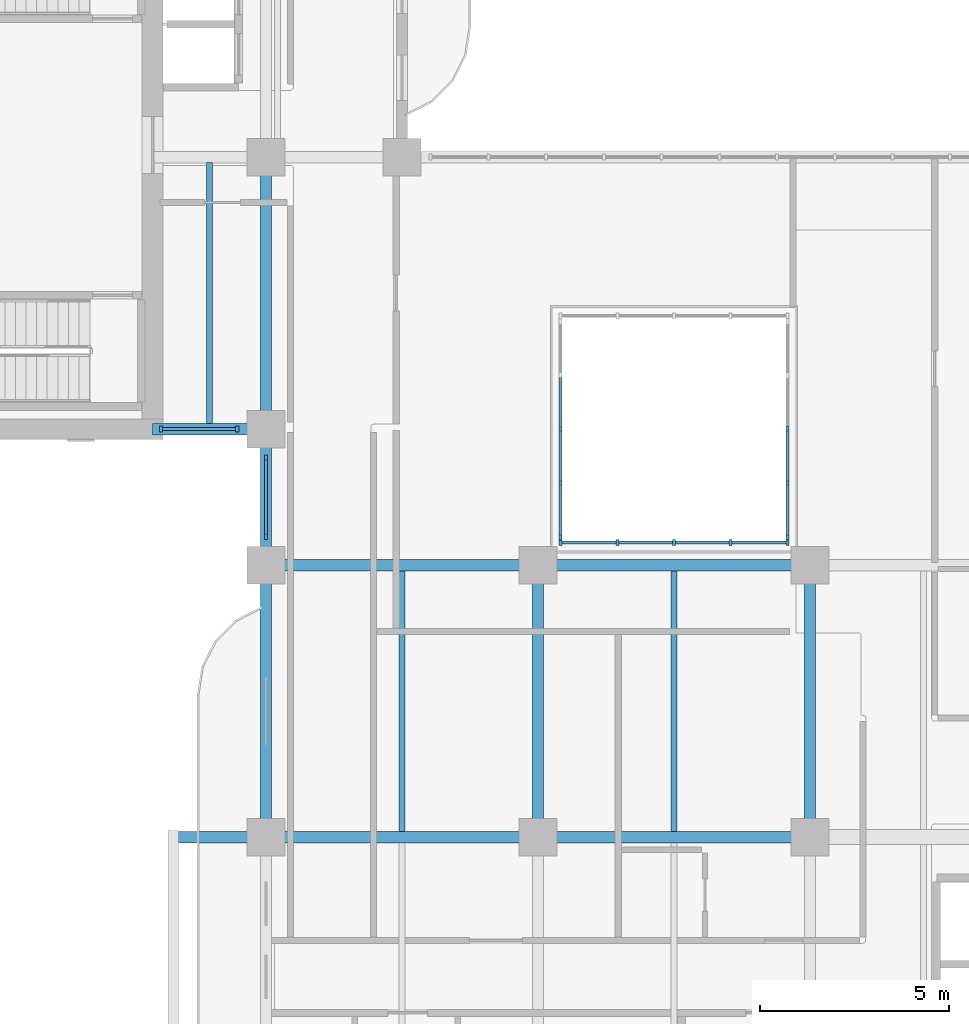
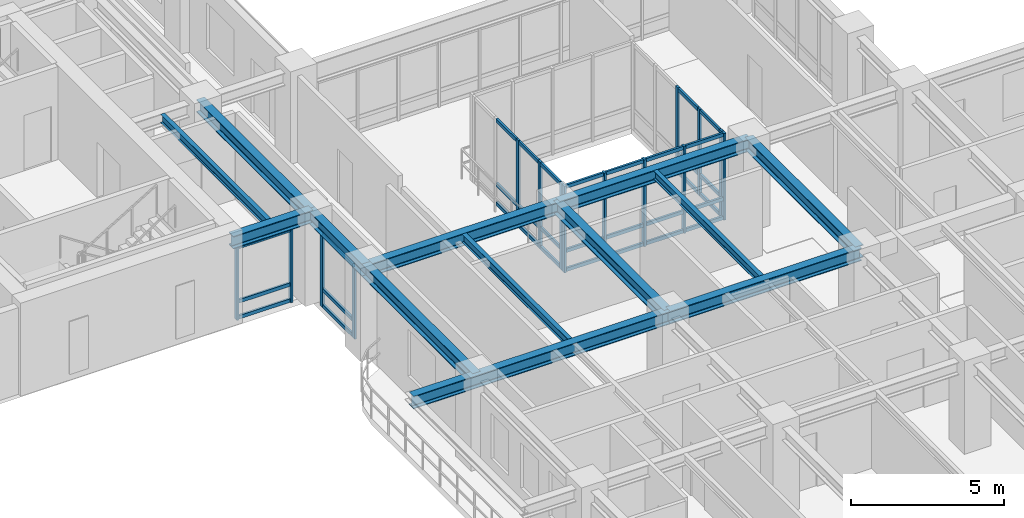
# One storey, part 2 of 20: 48 members, 13 beams, 5 elements without a shape of their own.
"""IFC4 building model written with IfcOpenShell, lengths in metres."""

from ifc_helpers import new_model, si_unit, derived_unit, direction, frame, origin, origin_2d, place, context, subcontext, project, spatial, rectangle, i_section, extrude, source, transform, mapped, material, layer, layer_set, material_profile, profile_set, type_object, type_shapes, element, aggregate, save


model = new_model("IFC4")

# Units and contexts
model_context = context("Model", 3, precision=1e-05, world=origin(), true_north=direction((0.0, 1.0)))
body_context = subcontext(model_context, "Body", "Model", "MODEL_VIEW")
ifc_project = project(units=[si_unit("LENGTHUNIT", "METRE"), si_unit("AREAUNIT", "SQUARE_METRE"), si_unit("VOLUMEUNIT", "CUBIC_METRE"), si_unit("PLANEANGLEUNIT", "RADIAN"), si_unit("MASSUNIT", "GRAM", prefix="KILO"), si_unit("THERMODYNAMICTEMPERATUREUNIT", "KELVIN"), si_unit("POWERUNIT", "WATT"), derived_unit("THERMALTRANSMITTANCEUNIT", [(si_unit("POWERUNIT", "WATT"), 1), (si_unit("AREAUNIT", "SQUARE_METRE"), -1), (si_unit("THERMODYNAMICTEMPERATUREUNIT", "KELVIN"), -1)])], contexts=[model_context])

# Site, building, storey
site_placement = place(None, origin())
site = spatial("IfcSite", under=ifc_project, at=site_placement, CompositionType="ELEMENT")
building_placement = place(site_placement, origin())
building = spatial("IfcBuilding", under=site, at=building_placement, Name="Zahravan Archway Hotel and Residences", CompositionType="ELEMENT")
storey_placement = place(building_placement, frame((0.0, 0.0, 111.800048828125)))
storey = spatial("IfcBuildingStorey", under=building, at=storey_placement, Name="L27", CompositionType="ELEMENT", Elevation=111.800048828125)

# Beams
ifc_material_1 = material(Name="Structural Steel S355JR", Category="steel")
ifc_material_profile_1 = material_profile(ifc_material_1, i_section(OverallWidth=0.300048828125, OverallDepth=0.5, WebThickness=0.014404296875, FlangeThickness=0.028076171875, FilletRadius=0.027099609375, at=origin_2d()), Name="HEB 500", Category="steel")
ifc_profile_set_1 = profile_set([ifc_material_profile_1], Name="Structural Steel S355JR")
beam_type_1 = type_object("IfcBeamType", Name="BM-PRI-HEB500", PredefinedType="BEAM", material=ifc_profile_set_1)
shared_shape_1 = source(origin(), body_context, "Body", "SweptSolid", [
    extrude(i_section(OverallWidth=0.300048828125, OverallDepth=0.5, WebThickness=0.014404296875, FlangeThickness=0.028076171875, FilletRadius=0.027099609375, at=origin_2d()), origin(), (0.0, 0.0, 1.0), 7.2001953125),
])
type_shapes(beam_type_1, [shared_shape_1])
for number, where, z_axis, x_axis, name in (
    (1, (14.39990234375, 21.60009765625, 3.199951171875), (1.0, 0.0, 0.0), (0.0, 1.0, 0.0), "L27 Primary Girder EW-11"),
    (2, (14.39990234375, 14.39990234375, 3.199951171875), (0.0, 1.0, 0.0), (-1.0, 0.0, 0.0), "L27 Primary Girder NS-30"),
    (3, (21.60009765625, 14.39990234375, 3.199951171875), (0.0, 1.0, 0.0), (-1.0, 0.0, 0.0), "L27 Primary Girder NS-37"),
    (4, (28.800048828125, 14.39990234375, 3.199951171875), (0.0, 1.0, 0.0), (-1.0, 0.0, 0.0), "L27 Primary Girder NS-40"),
):
    element("IfcBeam", number, at=place(storey_placement, frame(where, z_axis=z_axis, x_axis=x_axis)), inside=storey, type_object=beam_type_1, Name=name, PredefinedType="BEAM", context=body_context, shape_type="MappedRepresentation", body=[
        mapped(shared_shape_1, transform((0.0, 0.0, 0.0), scale=1.0)),
    ])
shared_shape_2 = source(origin(), body_context, "Body", "SweptSolid", [
    extrude(i_section(OverallWidth=0.300048828125, OverallDepth=0.5, WebThickness=0.014404296875, FlangeThickness=0.028076171875, FilletRadius=0.027099609375, at=origin_2d()), origin(), (0.0, 0.0, 1.0), 7.199951171875),
])
for number, where, z_axis, x_axis, name in (
    (5, (21.60009765625, 14.39990234375, 3.199951171875), (1.0, 0.0, 0.0), (0.0, 1.0, 0.0), "L27 Primary Girder EW-10"),
    (6, (21.60009765625, 21.60009765625, 3.199951171875), (1.0, 0.0, 0.0), (0.0, 1.0, 0.0), "L27 Primary Girder EW-12"),
    (7, (14.39990234375, 25.199951171875, 3.199951171875), (0.0, 1.0, 0.0), (-1.0, 0.0, 0.0), "L27 Primary Girder NS-32"),
):
    element("IfcBeam", number, at=place(storey_placement, frame(where, z_axis=z_axis, x_axis=x_axis)), inside=storey, type_object=beam_type_1, Name=name, PredefinedType="BEAM", context=body_context, shape_type="MappedRepresentation", body=[
        mapped(shared_shape_2, transform((0.0, 0.0, 0.0), scale=1.0)),
    ])
shared_shape_3 = source(origin(), body_context, "Body", "SweptSolid", [
    extrude(i_section(OverallWidth=0.300048828125, OverallDepth=0.5, WebThickness=0.014404296875, FlangeThickness=0.028076171875, FilletRadius=0.027099609375, at=origin_2d()), origin(), (0.0, 0.0, 1.0), 9.650146484375),
])
beam_1_placement = place(storey_placement, frame((11.949951171875, 14.39990234375, 3.199951171875), z_axis=(1.0, 0.0, 0.0), x_axis=(0.0, 1.0, 0.0)))
element("IfcBeam", 8, at=beam_1_placement, inside=storey, type_object=beam_type_1, Name="L27 Primary Girder EW-09", PredefinedType="BEAM", context=body_context, shape_type="MappedRepresentation", body=[
    mapped(shared_shape_3, transform((0.0, 0.0, 0.0), scale=1.0)),
])
shared_shape_4 = source(origin(), body_context, "Body", "SweptSolid", [
    extrude(i_section(OverallWidth=0.300048828125, OverallDepth=0.5, WebThickness=0.014404296875, FlangeThickness=0.028076171875, FilletRadius=0.027099609375, at=origin_2d()), origin(), (0.0, 0.0, 1.0), 3.0),
])
beam_2_placement = place(storey_placement, frame((11.39990234375, 25.199951171875, 3.199951171875), z_axis=(1.0, 0.0, 0.0), x_axis=(0.0, 1.0, 0.0)))
element("IfcBeam", 9, at=beam_2_placement, inside=storey, type_object=beam_type_1, Name="L27 Primary Girder EW-16", PredefinedType="BEAM", context=body_context, shape_type="MappedRepresentation", body=[
    mapped(shared_shape_4, transform((0.0, 0.0, 0.0), scale=1.0)),
])
shared_shape_5 = source(origin(), body_context, "Body", "SweptSolid", [
    extrude(i_section(OverallWidth=0.300048828125, OverallDepth=0.5, WebThickness=0.014404296875, FlangeThickness=0.028076171875, FilletRadius=0.027099609375, at=origin_2d()), origin(), (0.0, 0.0, 1.0), 3.599853515625),
])
beam_3_placement = place(storey_placement, frame((14.39990234375, 21.60009765625, 3.199951171875), z_axis=(0.0, 1.0, 0.0), x_axis=(-1.0, 0.0, 0.0)))
element("IfcBeam", 10, at=beam_3_placement, inside=storey, type_object=beam_type_1, Name="L27 Primary Girder NS-31", PredefinedType="BEAM", context=body_context, shape_type="MappedRepresentation", body=[
    mapped(shared_shape_5, transform((0.0, 0.0, 0.0), scale=1.0)),
])
ifc_material_profile_2 = material_profile(ifc_material_1, i_section(OverallWidth=0.159912109375, OverallDepth=0.330078125, WebThickness=0.007568359375, FlangeThickness=0.011474609375, FilletRadius=0.01806640625, at=origin_2d()), Name="IPE 330", Category="steel")
ifc_profile_set_2 = profile_set([ifc_material_profile_2], Name="Structural Steel S355JR")
beam_type_2 = type_object("IfcBeamType", Name="BM-JST-IPE330", PredefinedType="JOIST", material=ifc_profile_set_2)
shared_shape_6 = source(origin(), body_context, "Body", "SweptSolid", [
    extrude(i_section(OverallWidth=0.159912109375, OverallDepth=0.330078125, WebThickness=0.007568359375, FlangeThickness=0.011474609375, FilletRadius=0.01806640625, at=origin_2d()), origin(), (0.0, 0.0, 1.0), 6.904052734375),
])
type_shapes(beam_type_2, [shared_shape_6])
beam_4_placement = place(storey_placement, frame((12.89990234375, 25.347900390625, 3.284912109375), z_axis=(0.0, 1.0, 0.0), x_axis=(-1.0, 0.0, 0.0)))
element("IfcBeam", 11, at=beam_4_placement, inside=storey, type_object=beam_type_2, Name="L27 Composite Floor Joist 10", PredefinedType="JOIST", context=body_context, shape_type="MappedRepresentation", body=[
    mapped(shared_shape_6, transform((0.0, 0.0, 0.0), scale=1.0)),
])
shared_shape_7 = source(origin(), body_context, "Body", "SweptSolid", [
    extrude(i_section(OverallWidth=0.159912109375, OverallDepth=0.330078125, WebThickness=0.007568359375, FlangeThickness=0.011474609375, FilletRadius=0.01806640625, at=origin_2d()), origin(), (0.0, 0.0, 1.0), 6.90380859375),
])
for number, where, z_axis, x_axis, name in (
    (12, (18.0, 14.548095703125, 3.284912109375), (0.0, 1.0, 0.0), (-1.0, 0.0, 0.0), "L27 Composite Floor Joist 08"),
    (13, (25.199951171875, 14.548095703125, 3.284912109375), (0.0, 1.0, 0.0), (-1.0, 0.0, 0.0), "L27 Composite Floor Joist 09"),
):
    element("IfcBeam", number, at=place(storey_placement, frame(where, z_axis=z_axis, x_axis=x_axis)), inside=storey, type_object=beam_type_2, Name=name, PredefinedType="JOIST", context=body_context, shape_type="MappedRepresentation", body=[
        mapped(shared_shape_7, transform((0.0, 0.0, 0.0), scale=1.0)),
    ])

# Curtain wall, members
ifc_material_2 = material(Name="Bronze-Anodized Unitised Aluminium & Low-E Glass", Category="aluminium")
ifc_layer = layer(ifc_material_2, 0.179931640625, Name="Bronze-Anodized Unitised Aluminium & Low-E Glass", Category="aluminium")
ifc_layer_set = layer_set([ifc_layer], Name="Bronze-Anodized Unitised Aluminium & Low-E Glass")
curtain_wall_type = type_object("IfcCurtainWallType", Name="CW-ATR-GLAZ", PredefinedType="NOTDEFINED", material=ifc_layer_set)
curtain_wall_1_placement = place(storey_placement, origin())
curtain_wall_1 = element("IfcCurtainWall", 14, at=curtain_wall_1_placement, inside=storey, type_object=curtain_wall_type, Name="L27 Curtain Wall CW-L27-WB-SE-1", PredefinedType="NOTDEFINED")
ifc_material_3 = material(Name="Bronze-Anodized Extruded Aluminium", Category="aluminium")
ifc_material_profile_3 = material_profile(ifc_material_3, rectangle(XDim=0.080078125, YDim=0.139892578125, at=origin_2d()), Name="TRN 80x140", Category="aluminium")
ifc_profile_set_3 = profile_set([ifc_material_profile_3], Name="Bronze-Anodized Extruded Aluminium")
member_type_1 = type_object("IfcMemberType", Name="CWM-TRN-140", PredefinedType="USERDEFINED", material=ifc_profile_set_3)
shared_shape_8 = source(origin(), body_context, "Body", "SweptSolid", [
    extrude(rectangle(XDim=0.080078125, YDim=0.139892578125, at=origin_2d()), origin(), (0.0, 0.0, 1.0), 1.940185546875),
])
member_1_placement = place(storey_placement, frame((11.659912109375, 25.199951171875, 0.070068359375), z_axis=(1.0, 0.0, 0.0), x_axis=(0.0, 1.0, 0.0)))
member_1 = element("IfcMember", 15, at=member_1_placement, type_object=member_type_1, Name="CW-L27-WB-SE-1 Transom 0-1", ObjectType="TRANSOM", PredefinedType="USERDEFINED", context=body_context, shape_type="MappedRepresentation", body=[
    mapped(shared_shape_8, transform((0.0, 0.0, 0.0), scale=1.0)),
])
member_2_placement = place(storey_placement, frame((11.659912109375, 25.199951171875, 0.704345703125), z_axis=(1.0, 0.0, 0.0), x_axis=(0.0, 1.0, 0.0)))
member_2 = element("IfcMember", 16, at=member_2_placement, type_object=member_type_1, Name="CW-L27-WB-SE-1 Transom 0-2", ObjectType="TRANSOM", PredefinedType="USERDEFINED", context=body_context, shape_type="MappedRepresentation", body=[
    mapped(shared_shape_8, transform((0.0, 0.0, 0.0), scale=1.0)),
])
member_3_placement = place(storey_placement, frame((11.659912109375, 25.199951171875, 2.864990234375), z_axis=(1.0, 0.0, 0.0), x_axis=(0.0, 1.0, 0.0)))
member_3 = element("IfcMember", 17, at=member_3_placement, type_object=member_type_1, Name="CW-L27-WB-SE-1 Transom 0-3", ObjectType="TRANSOM", PredefinedType="USERDEFINED", context=body_context, shape_type="MappedRepresentation", body=[
    mapped(shared_shape_8, transform((0.0, 0.0, 0.0), scale=1.0)),
])

curtain_wall_2_placement = place(storey_placement, origin())
curtain_wall_2 = element("IfcCurtainWall", 18, at=curtain_wall_2_placement, inside=storey, type_object=curtain_wall_type, Name="L27 Curtain Wall CW-L27-WA-WLU-1", PredefinedType="NOTDEFINED")
shared_shape_9 = source(origin(), body_context, "Body", "SweptSolid", [
    extrude(rectangle(XDim=0.080078125, YDim=0.139892578125, at=origin_2d()), origin(), (0.0, 0.0, 1.0), 2.0),
])
member_4_placement = place(storey_placement, frame((14.39990234375, 22.39990234375, 0.070068359375), z_axis=(0.0, 1.0, 0.0), x_axis=(-1.0, 0.0, 0.0)))
member_4 = element("IfcMember", 19, at=member_4_placement, type_object=member_type_1, Name="CW-L27-WA-WLU-1 Transom 0-1", ObjectType="TRANSOM", PredefinedType="USERDEFINED", context=body_context, shape_type="MappedRepresentation", body=[
    mapped(shared_shape_9, transform((0.0, 0.0, 0.0), scale=1.0)),
])
member_5_placement = place(storey_placement, frame((14.39990234375, 22.39990234375, 0.704345703125), z_axis=(0.0, 1.0, 0.0), x_axis=(-1.0, 0.0, 0.0)))
member_5 = element("IfcMember", 20, at=member_5_placement, type_object=member_type_1, Name="CW-L27-WA-WLU-1 Transom 0-2", ObjectType="TRANSOM", PredefinedType="USERDEFINED", context=body_context, shape_type="MappedRepresentation", body=[
    mapped(shared_shape_9, transform((0.0, 0.0, 0.0), scale=1.0)),
])
member_6_placement = place(storey_placement, frame((14.39990234375, 22.39990234375, 2.864990234375), z_axis=(0.0, 1.0, 0.0), x_axis=(-1.0, 0.0, 0.0)))
member_6 = element("IfcMember", 21, at=member_6_placement, type_object=member_type_1, Name="CW-L27-WA-WLU-1 Transom 0-3", ObjectType="TRANSOM", PredefinedType="USERDEFINED", context=body_context, shape_type="MappedRepresentation", body=[
    mapped(shared_shape_9, transform((0.0, 0.0, 0.0), scale=1.0)),
])

curtain_wall_3_placement = place(storey_placement, origin())
curtain_wall_3 = element("IfcCurtainWall", 22, at=curtain_wall_3_placement, inside=storey, type_object=curtain_wall_type, Name="L27 Curtain Wall CW-ATR-L27-S-1", PredefinedType="NOTDEFINED")
ifc_material_profile_4 = material_profile(ifc_material_3, rectangle(XDim=0.080078125, YDim=0.159912109375, at=origin_2d()), Name="MUL 80x160", Category="aluminium")
ifc_profile_set_4 = profile_set([ifc_material_profile_4], Name="Bronze-Anodized Extruded Aluminium")
member_type_2 = type_object("IfcMemberType", Name="CWM-MUL-160", PredefinedType="MULLION", material=ifc_profile_set_4)
shared_shape_10 = source(origin(), body_context, "Body", "SweptSolid", [
    extrude(rectangle(XDim=0.080078125, YDim=0.159912109375, at=origin_2d()), origin(), (0.0, 0.0, 1.0), 3.449951171875),
])
member_7_placement = place(storey_placement, frame((22.199951171875, 22.199951171875, 0.0), z_axis=(0.0, 0.0, 1.0), x_axis=(1.0, 0.0, 0.0)))
member_7 = element("IfcMember", 23, at=member_7_placement, type_object=member_type_2, Name="CW-ATR-L27-S-1 Mullion 0", PredefinedType="MULLION", context=body_context, shape_type="MappedRepresentation", body=[
    mapped(shared_shape_10, transform((0.0, 0.0, 0.0), scale=1.0)),
])
member_8_placement = place(storey_placement, frame((23.699951171875, 22.199951171875, 0.0), z_axis=(0.0, 0.0, 1.0), x_axis=(1.0, 0.0, 0.0)))
member_8 = element("IfcMember", 24, at=member_8_placement, type_object=member_type_2, Name="CW-ATR-L27-S-1 Mullion 1", PredefinedType="MULLION", context=body_context, shape_type="MappedRepresentation", body=[
    mapped(shared_shape_10, transform((0.0, 0.0, 0.0), scale=1.0)),
])
member_9_placement = place(storey_placement, frame((25.199951171875, 22.199951171875, 0.0), z_axis=(0.0, 0.0, 1.0), x_axis=(1.0, 0.0, 0.0)))
member_9 = element("IfcMember", 25, at=member_9_placement, type_object=member_type_2, Name="CW-ATR-L27-S-1 Mullion 2", PredefinedType="MULLION", context=body_context, shape_type="MappedRepresentation", body=[
    mapped(shared_shape_10, transform((0.0, 0.0, 0.0), scale=1.0)),
])
member_10_placement = place(storey_placement, frame((26.699951171875, 22.199951171875, 0.0), z_axis=(0.0, 0.0, 1.0), x_axis=(1.0, 0.0, 0.0)))
member_10 = element("IfcMember", 26, at=member_10_placement, type_object=member_type_2, Name="CW-ATR-L27-S-1 Mullion 3", PredefinedType="MULLION", context=body_context, shape_type="MappedRepresentation", body=[
    mapped(shared_shape_10, transform((0.0, 0.0, 0.0), scale=1.0)),
])
member_11_placement = place(storey_placement, frame((28.199951171875, 22.199951171875, 0.0), z_axis=(0.0, 0.0, 1.0), x_axis=(1.0, 0.0, 0.0)))
member_11 = element("IfcMember", 27, at=member_11_placement, type_object=member_type_2, Name="CW-ATR-L27-S-1 Mullion 4", PredefinedType="MULLION", context=body_context, shape_type="MappedRepresentation", body=[
    mapped(shared_shape_10, transform((0.0, 0.0, 0.0), scale=1.0)),
])

curtain_wall_4_placement = place(storey_placement, origin())
curtain_wall_4 = element("IfcCurtainWall", 28, at=curtain_wall_4_placement, inside=storey, type_object=curtain_wall_type, Name="L27 Curtain Wall CW-ATR-L27-W-1", PredefinedType="NOTDEFINED")
member_12_placement = place(storey_placement, frame((22.199951171875, 22.35009765625, 0.0), z_axis=(0.0, 0.0, 1.0), x_axis=(1.0, 0.0, 0.0)))
member_12 = element("IfcMember", 29, at=member_12_placement, type_object=member_type_2, Name="CW-ATR-L27-W-1 Mullion 0", PredefinedType="MULLION", context=body_context, shape_type="MappedRepresentation", body=[
    mapped(shared_shape_10, transform((0.0, 0.0, 0.0), scale=1.0)),
])
member_13_placement = place(storey_placement, frame((22.199951171875, 23.77490234375, 0.0), z_axis=(0.0, 0.0, 1.0), x_axis=(1.0, 0.0, 0.0)))
member_13 = element("IfcMember", 30, at=member_13_placement, type_object=member_type_2, Name="CW-ATR-L27-W-1 Mullion 1", PredefinedType="MULLION", context=body_context, shape_type="MappedRepresentation", body=[
    mapped(shared_shape_10, transform((0.0, 0.0, 0.0), scale=1.0)),
])
member_14_placement = place(storey_placement, frame((22.199951171875, 25.199951171875, 0.0), z_axis=(0.0, 0.0, 1.0), x_axis=(1.0, 0.0, 0.0)))
member_14 = element("IfcMember", 31, at=member_14_placement, type_object=member_type_2, Name="CW-ATR-L27-W-1 Mullion 2", PredefinedType="MULLION", context=body_context, shape_type="MappedRepresentation", body=[
    mapped(shared_shape_10, transform((0.0, 0.0, 0.0), scale=1.0)),
])

curtain_wall_5_placement = place(storey_placement, origin())
curtain_wall_5 = element("IfcCurtainWall", 32, at=curtain_wall_5_placement, inside=storey, type_object=curtain_wall_type, Name="L27 Curtain Wall CW-ATR-L27-E-1", PredefinedType="NOTDEFINED")
member_15_placement = place(storey_placement, frame((28.199951171875, 22.35009765625, 0.0), z_axis=(0.0, 0.0, 1.0), x_axis=(1.0, 0.0, 0.0)))
member_15 = element("IfcMember", 33, at=member_15_placement, type_object=member_type_2, Name="CW-ATR-L27-E-1 Mullion 0", PredefinedType="MULLION", context=body_context, shape_type="MappedRepresentation", body=[
    mapped(shared_shape_10, transform((0.0, 0.0, 0.0), scale=1.0)),
])
member_16_placement = place(storey_placement, frame((28.199951171875, 23.77490234375, 0.0), z_axis=(0.0, 0.0, 1.0), x_axis=(1.0, 0.0, 0.0)))
member_16 = element("IfcMember", 34, at=member_16_placement, type_object=member_type_2, Name="CW-ATR-L27-E-1 Mullion 1", PredefinedType="MULLION", context=body_context, shape_type="MappedRepresentation", body=[
    mapped(shared_shape_10, transform((0.0, 0.0, 0.0), scale=1.0)),
])
member_17_placement = place(storey_placement, frame((28.199951171875, 25.199951171875, 0.0), z_axis=(0.0, 0.0, 1.0), x_axis=(1.0, 0.0, 0.0)))
member_17 = element("IfcMember", 35, at=member_17_placement, type_object=member_type_2, Name="CW-ATR-L27-E-1 Mullion 2", PredefinedType="MULLION", context=body_context, shape_type="MappedRepresentation", body=[
    mapped(shared_shape_10, transform((0.0, 0.0, 0.0), scale=1.0)),
])

# Member
shared_shape_11 = source(origin(), body_context, "Body", "SweptSolid", [
    extrude(rectangle(XDim=0.080078125, YDim=0.139892578125, at=origin_2d()), origin(), (0.0, 0.0, 1.0), 1.419921875),
])
member_18_placement = place(storey_placement, frame((22.239990234375, 22.199951171875, 0.070068359375), z_axis=(1.0, 0.0, 0.0), x_axis=(0.0, 1.0, 0.0)))
member_18 = element("IfcMember", 36, at=member_18_placement, type_object=member_type_1, Name="CW-ATR-L27-S-1 Transom 0-1", ObjectType="TRANSOM", PredefinedType="USERDEFINED", context=body_context, shape_type="MappedRepresentation", body=[
    mapped(shared_shape_11, transform((0.0, 0.0, 0.0), scale=1.0)),
])

member_19_placement = place(storey_placement, frame((22.239990234375, 22.199951171875, 0.827880859375), z_axis=(1.0, 0.0, 0.0), x_axis=(0.0, 1.0, 0.0)))
member_19 = element("IfcMember", 37, at=member_19_placement, type_object=member_type_1, Name="CW-ATR-L27-S-1 Transom 0-2", ObjectType="TRANSOM", PredefinedType="USERDEFINED", context=body_context, shape_type="MappedRepresentation", body=[
    mapped(shared_shape_11, transform((0.0, 0.0, 0.0), scale=1.0)),
])

member_20_placement = place(storey_placement, frame((22.239990234375, 22.199951171875, 3.3798828125), z_axis=(1.0, 0.0, 0.0), x_axis=(0.0, 1.0, 0.0)))
member_20 = element("IfcMember", 38, at=member_20_placement, type_object=member_type_1, Name="CW-ATR-L27-S-1 Transom 0-3", ObjectType="TRANSOM", PredefinedType="USERDEFINED", context=body_context, shape_type="MappedRepresentation", body=[
    mapped(shared_shape_11, transform((0.0, 0.0, 0.0), scale=1.0)),
])

member_21_placement = place(storey_placement, frame((23.739990234375, 22.199951171875, 0.070068359375), z_axis=(1.0, 0.0, 0.0), x_axis=(0.0, 1.0, 0.0)))
member_21 = element("IfcMember", 39, at=member_21_placement, type_object=member_type_1, Name="CW-ATR-L27-S-1 Transom 1-1", ObjectType="TRANSOM", PredefinedType="USERDEFINED", context=body_context, shape_type="MappedRepresentation", body=[
    mapped(shared_shape_11, transform((0.0, 0.0, 0.0), scale=1.0)),
])

member_22_placement = place(storey_placement, frame((23.739990234375, 22.199951171875, 0.827880859375), z_axis=(1.0, 0.0, 0.0), x_axis=(0.0, 1.0, 0.0)))
member_22 = element("IfcMember", 40, at=member_22_placement, type_object=member_type_1, Name="CW-ATR-L27-S-1 Transom 1-2", ObjectType="TRANSOM", PredefinedType="USERDEFINED", context=body_context, shape_type="MappedRepresentation", body=[
    mapped(shared_shape_11, transform((0.0, 0.0, 0.0), scale=1.0)),
])

member_23_placement = place(storey_placement, frame((23.739990234375, 22.199951171875, 3.3798828125), z_axis=(1.0, 0.0, 0.0), x_axis=(0.0, 1.0, 0.0)))
member_23 = element("IfcMember", 41, at=member_23_placement, type_object=member_type_1, Name="CW-ATR-L27-S-1 Transom 1-3", ObjectType="TRANSOM", PredefinedType="USERDEFINED", context=body_context, shape_type="MappedRepresentation", body=[
    mapped(shared_shape_11, transform((0.0, 0.0, 0.0), scale=1.0)),
])

member_24_placement = place(storey_placement, frame((25.239990234375, 22.199951171875, 0.070068359375), z_axis=(1.0, 0.0, 0.0), x_axis=(0.0, 1.0, 0.0)))
member_24 = element("IfcMember", 42, at=member_24_placement, type_object=member_type_1, Name="CW-ATR-L27-S-1 Transom 2-1", ObjectType="TRANSOM", PredefinedType="USERDEFINED", context=body_context, shape_type="MappedRepresentation", body=[
    mapped(shared_shape_11, transform((0.0, 0.0, 0.0), scale=1.0)),
])

member_25_placement = place(storey_placement, frame((25.239990234375, 22.199951171875, 0.827880859375), z_axis=(1.0, 0.0, 0.0), x_axis=(0.0, 1.0, 0.0)))
member_25 = element("IfcMember", 43, at=member_25_placement, type_object=member_type_1, Name="CW-ATR-L27-S-1 Transom 2-2", ObjectType="TRANSOM", PredefinedType="USERDEFINED", context=body_context, shape_type="MappedRepresentation", body=[
    mapped(shared_shape_11, transform((0.0, 0.0, 0.0), scale=1.0)),
])

member_26_placement = place(storey_placement, frame((25.239990234375, 22.199951171875, 3.3798828125), z_axis=(1.0, 0.0, 0.0), x_axis=(0.0, 1.0, 0.0)))
member_26 = element("IfcMember", 44, at=member_26_placement, type_object=member_type_1, Name="CW-ATR-L27-S-1 Transom 2-3", ObjectType="TRANSOM", PredefinedType="USERDEFINED", context=body_context, shape_type="MappedRepresentation", body=[
    mapped(shared_shape_11, transform((0.0, 0.0, 0.0), scale=1.0)),
])

member_27_placement = place(storey_placement, frame((26.739990234375, 22.199951171875, 0.070068359375), z_axis=(1.0, 0.0, 0.0), x_axis=(0.0, 1.0, 0.0)))
member_27 = element("IfcMember", 45, at=member_27_placement, type_object=member_type_1, Name="CW-ATR-L27-S-1 Transom 3-1", ObjectType="TRANSOM", PredefinedType="USERDEFINED", context=body_context, shape_type="MappedRepresentation", body=[
    mapped(shared_shape_11, transform((0.0, 0.0, 0.0), scale=1.0)),
])

member_28_placement = place(storey_placement, frame((26.739990234375, 22.199951171875, 0.827880859375), z_axis=(1.0, 0.0, 0.0), x_axis=(0.0, 1.0, 0.0)))
member_28 = element("IfcMember", 46, at=member_28_placement, type_object=member_type_1, Name="CW-ATR-L27-S-1 Transom 3-2", ObjectType="TRANSOM", PredefinedType="USERDEFINED", context=body_context, shape_type="MappedRepresentation", body=[
    mapped(shared_shape_11, transform((0.0, 0.0, 0.0), scale=1.0)),
])

member_29_placement = place(storey_placement, frame((26.739990234375, 22.199951171875, 3.3798828125), z_axis=(1.0, 0.0, 0.0), x_axis=(0.0, 1.0, 0.0)))
member_29 = element("IfcMember", 47, at=member_29_placement, type_object=member_type_1, Name="CW-ATR-L27-S-1 Transom 3-3", ObjectType="TRANSOM", PredefinedType="USERDEFINED", context=body_context, shape_type="MappedRepresentation", body=[
    mapped(shared_shape_11, transform((0.0, 0.0, 0.0), scale=1.0)),
])

aggregate(curtain_wall_3, [member_7, member_8, member_9, member_10, member_11, member_18, member_19, member_20, member_21, member_22, member_23, member_24, member_25, member_26, member_27, member_28, member_29])

shared_shape_12 = source(origin(), body_context, "Body", "SweptSolid", [
    extrude(rectangle(XDim=0.080078125, YDim=0.139892578125, at=origin_2d()), origin(), (0.0, 0.0, 1.0), 1.34521484375),
])
member_30_placement = place(storey_placement, frame((22.199951171875, 22.389892578125, 0.070068359375), z_axis=(0.0, 1.0, 0.0), x_axis=(-1.0, 0.0, 0.0)))
member_30 = element("IfcMember", 48, at=member_30_placement, type_object=member_type_1, Name="CW-ATR-L27-W-1 Transom 0-1", ObjectType="TRANSOM", PredefinedType="USERDEFINED", context=body_context, shape_type="MappedRepresentation", body=[
    mapped(shared_shape_12, transform((0.0, 0.0, 0.0), scale=1.0)),
])

member_31_placement = place(storey_placement, frame((22.199951171875, 22.389892578125, 0.827880859375), z_axis=(0.0, 1.0, 0.0), x_axis=(-1.0, 0.0, 0.0)))
member_31 = element("IfcMember", 49, at=member_31_placement, type_object=member_type_1, Name="CW-ATR-L27-W-1 Transom 0-2", ObjectType="TRANSOM", PredefinedType="USERDEFINED", context=body_context, shape_type="MappedRepresentation", body=[
    mapped(shared_shape_12, transform((0.0, 0.0, 0.0), scale=1.0)),
])

member_32_placement = place(storey_placement, frame((22.199951171875, 22.389892578125, 3.3798828125), z_axis=(0.0, 1.0, 0.0), x_axis=(-1.0, 0.0, 0.0)))
member_32 = element("IfcMember", 50, at=member_32_placement, type_object=member_type_1, Name="CW-ATR-L27-W-1 Transom 0-3", ObjectType="TRANSOM", PredefinedType="USERDEFINED", context=body_context, shape_type="MappedRepresentation", body=[
    mapped(shared_shape_12, transform((0.0, 0.0, 0.0), scale=1.0)),
])

member_33_placement = place(storey_placement, frame((28.199951171875, 22.389892578125, 0.070068359375), z_axis=(0.0, 1.0, 0.0), x_axis=(-1.0, 0.0, 0.0)))
member_33 = element("IfcMember", 51, at=member_33_placement, type_object=member_type_1, Name="CW-ATR-L27-E-1 Transom 0-1", ObjectType="TRANSOM", PredefinedType="USERDEFINED", context=body_context, shape_type="MappedRepresentation", body=[
    mapped(shared_shape_12, transform((0.0, 0.0, 0.0), scale=1.0)),
])

member_34_placement = place(storey_placement, frame((28.199951171875, 22.389892578125, 0.827880859375), z_axis=(0.0, 1.0, 0.0), x_axis=(-1.0, 0.0, 0.0)))
member_34 = element("IfcMember", 52, at=member_34_placement, type_object=member_type_1, Name="CW-ATR-L27-E-1 Transom 0-2", ObjectType="TRANSOM", PredefinedType="USERDEFINED", context=body_context, shape_type="MappedRepresentation", body=[
    mapped(shared_shape_12, transform((0.0, 0.0, 0.0), scale=1.0)),
])

member_35_placement = place(storey_placement, frame((28.199951171875, 22.389892578125, 3.3798828125), z_axis=(0.0, 1.0, 0.0), x_axis=(-1.0, 0.0, 0.0)))
member_35 = element("IfcMember", 53, at=member_35_placement, type_object=member_type_1, Name="CW-ATR-L27-E-1 Transom 0-3", ObjectType="TRANSOM", PredefinedType="USERDEFINED", context=body_context, shape_type="MappedRepresentation", body=[
    mapped(shared_shape_12, transform((0.0, 0.0, 0.0), scale=1.0)),
])

shared_shape_13 = source(origin(), body_context, "Body", "SweptSolid", [
    extrude(rectangle(XDim=0.080078125, YDim=0.139892578125, at=origin_2d()), origin(), (0.0, 0.0, 1.0), 1.344970703125),
])
member_36_placement = place(storey_placement, frame((22.199951171875, 23.81494140625, 0.070068359375), z_axis=(0.0, 1.0, 0.0), x_axis=(-1.0, 0.0, 0.0)))
member_36 = element("IfcMember", 54, at=member_36_placement, type_object=member_type_1, Name="CW-ATR-L27-W-1 Transom 1-1", ObjectType="TRANSOM", PredefinedType="USERDEFINED", context=body_context, shape_type="MappedRepresentation", body=[
    mapped(shared_shape_13, transform((0.0, 0.0, 0.0), scale=1.0)),
])

member_37_placement = place(storey_placement, frame((22.199951171875, 23.81494140625, 0.827880859375), z_axis=(0.0, 1.0, 0.0), x_axis=(-1.0, 0.0, 0.0)))
member_37 = element("IfcMember", 55, at=member_37_placement, type_object=member_type_1, Name="CW-ATR-L27-W-1 Transom 1-2", ObjectType="TRANSOM", PredefinedType="USERDEFINED", context=body_context, shape_type="MappedRepresentation", body=[
    mapped(shared_shape_13, transform((0.0, 0.0, 0.0), scale=1.0)),
])

member_38_placement = place(storey_placement, frame((22.199951171875, 23.81494140625, 3.3798828125), z_axis=(0.0, 1.0, 0.0), x_axis=(-1.0, 0.0, 0.0)))
member_38 = element("IfcMember", 56, at=member_38_placement, type_object=member_type_1, Name="CW-ATR-L27-W-1 Transom 1-3", ObjectType="TRANSOM", PredefinedType="USERDEFINED", context=body_context, shape_type="MappedRepresentation", body=[
    mapped(shared_shape_13, transform((0.0, 0.0, 0.0), scale=1.0)),
])

member_39_placement = place(storey_placement, frame((22.199951171875, 25.239990234375, 0.070068359375), z_axis=(0.0, 1.0, 0.0), x_axis=(-1.0, 0.0, 0.0)))
member_39 = element("IfcMember", 57, at=member_39_placement, type_object=member_type_1, Name="CW-ATR-L27-W-1 Transom 2-1", ObjectType="TRANSOM", PredefinedType="USERDEFINED", context=body_context, shape_type="MappedRepresentation", body=[
    mapped(shared_shape_13, transform((0.0, 0.0, 0.0), scale=1.0)),
])

member_40_placement = place(storey_placement, frame((22.199951171875, 25.239990234375, 0.827880859375), z_axis=(0.0, 1.0, 0.0), x_axis=(-1.0, 0.0, 0.0)))
member_40 = element("IfcMember", 58, at=member_40_placement, type_object=member_type_1, Name="CW-ATR-L27-W-1 Transom 2-2", ObjectType="TRANSOM", PredefinedType="USERDEFINED", context=body_context, shape_type="MappedRepresentation", body=[
    mapped(shared_shape_13, transform((0.0, 0.0, 0.0), scale=1.0)),
])

member_41_placement = place(storey_placement, frame((22.199951171875, 25.239990234375, 3.3798828125), z_axis=(0.0, 1.0, 0.0), x_axis=(-1.0, 0.0, 0.0)))
member_41 = element("IfcMember", 59, at=member_41_placement, type_object=member_type_1, Name="CW-ATR-L27-W-1 Transom 2-3", ObjectType="TRANSOM", PredefinedType="USERDEFINED", context=body_context, shape_type="MappedRepresentation", body=[
    mapped(shared_shape_13, transform((0.0, 0.0, 0.0), scale=1.0)),
])

aggregate(curtain_wall_4, [member_12, member_13, member_14, member_30, member_31, member_32, member_36, member_37, member_38, member_39, member_40, member_41])

member_42_placement = place(storey_placement, frame((28.199951171875, 23.81494140625, 0.070068359375), z_axis=(0.0, 1.0, 0.0), x_axis=(-1.0, 0.0, 0.0)))
member_42 = element("IfcMember", 60, at=member_42_placement, type_object=member_type_1, Name="CW-ATR-L27-E-1 Transom 1-1", ObjectType="TRANSOM", PredefinedType="USERDEFINED", context=body_context, shape_type="MappedRepresentation", body=[
    mapped(shared_shape_13, transform((0.0, 0.0, 0.0), scale=1.0)),
])

member_43_placement = place(storey_placement, frame((28.199951171875, 23.81494140625, 0.827880859375), z_axis=(0.0, 1.0, 0.0), x_axis=(-1.0, 0.0, 0.0)))
member_43 = element("IfcMember", 61, at=member_43_placement, type_object=member_type_1, Name="CW-ATR-L27-E-1 Transom 1-2", ObjectType="TRANSOM", PredefinedType="USERDEFINED", context=body_context, shape_type="MappedRepresentation", body=[
    mapped(shared_shape_13, transform((0.0, 0.0, 0.0), scale=1.0)),
])

member_44_placement = place(storey_placement, frame((28.199951171875, 23.81494140625, 3.3798828125), z_axis=(0.0, 1.0, 0.0), x_axis=(-1.0, 0.0, 0.0)))
member_44 = element("IfcMember", 62, at=member_44_placement, type_object=member_type_1, Name="CW-ATR-L27-E-1 Transom 1-3", ObjectType="TRANSOM", PredefinedType="USERDEFINED", context=body_context, shape_type="MappedRepresentation", body=[
    mapped(shared_shape_13, transform((0.0, 0.0, 0.0), scale=1.0)),
])

aggregate(curtain_wall_5, [member_15, member_16, member_17, member_33, member_34, member_35, member_42, member_43, member_44])

shared_shape_14 = source(origin(), body_context, "Body", "SweptSolid", [
    extrude(rectangle(XDim=0.080078125, YDim=0.159912109375, at=origin_2d()), origin(), (0.0, 0.0, 1.0), 2.93505859375),
])
member_45_placement = place(storey_placement, frame((14.39990234375, 22.360107421875, 0.0), z_axis=(0.0, 0.0, 1.0), x_axis=(1.0, 0.0, 0.0)))
member_45 = element("IfcMember", 63, at=member_45_placement, type_object=member_type_2, Name="CW-L27-WA-WLU-1 Mullion 0", PredefinedType="MULLION", context=body_context, shape_type="MappedRepresentation", body=[
    mapped(shared_shape_14, transform((0.0, 0.0, 0.0), scale=1.0)),
])

member_46_placement = place(storey_placement, frame((14.39990234375, 24.43994140625, 0.0), z_axis=(0.0, 0.0, 1.0), x_axis=(1.0, 0.0, 0.0)))
member_46 = element("IfcMember", 64, at=member_46_placement, type_object=member_type_2, Name="CW-L27-WA-WLU-1 Mullion 1", PredefinedType="MULLION", context=body_context, shape_type="MappedRepresentation", body=[
    mapped(shared_shape_14, transform((0.0, 0.0, 0.0), scale=1.0)),
])

aggregate(curtain_wall_2, [member_45, member_46, member_4, member_5, member_6])

member_47_placement = place(storey_placement, frame((11.6201171875, 25.199951171875, 0.0), z_axis=(0.0, 0.0, 1.0), x_axis=(1.0, 0.0, 0.0)))
member_47 = element("IfcMember", 65, at=member_47_placement, type_object=member_type_2, Name="CW-L27-WB-SE-1 Mullion 0", PredefinedType="MULLION", context=body_context, shape_type="MappedRepresentation", body=[
    mapped(shared_shape_14, transform((0.0, 0.0, 0.0), scale=1.0)),
])

member_48_placement = place(storey_placement, frame((13.639892578125, 25.199951171875, 0.0), z_axis=(0.0, 0.0, 1.0), x_axis=(1.0, 0.0, 0.0)))
member_48 = element("IfcMember", 66, at=member_48_placement, type_object=member_type_2, Name="CW-L27-WB-SE-1 Mullion 1", PredefinedType="MULLION", context=body_context, shape_type="MappedRepresentation", body=[
    mapped(shared_shape_14, transform((0.0, 0.0, 0.0), scale=1.0)),
])

aggregate(curtain_wall_1, [member_47, member_48, member_1, member_2, member_3])

save(model, "model.ifc")
